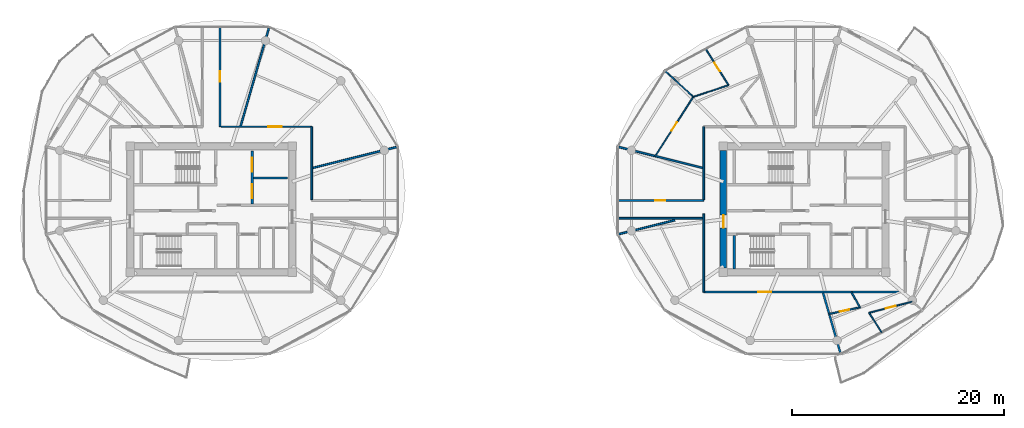
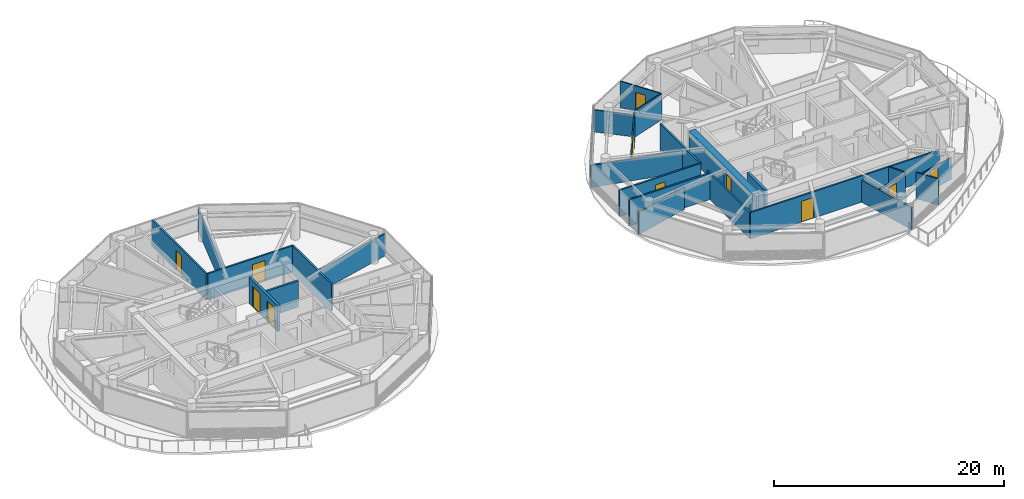
# One storey, part 15 of 23: 25 walls, 11 doors, 11 openings.
"""IFC4 building model written with IfcOpenShell, lengths in metres."""

from ifc_helpers import new_model, si_unit, direction, frame, frame_2d, origin, place, context, subcontext, project, spatial, rectangle, extrude, source, transform, mapped, material, layer, layer_set, type_object, type_shapes, element, fill, save


model = new_model("IFC4")

# Units and contexts
model_context = context("Model", 3, precision=1e-05, world=origin(), true_north=direction((0.0, 1.0)))
body_context = subcontext(model_context, "Body", "Model", "MODEL_VIEW")
ifc_project = project(units=[si_unit("LENGTHUNIT", "METRE"), si_unit("AREAUNIT", "SQUARE_METRE"), si_unit("VOLUMEUNIT", "CUBIC_METRE"), si_unit("PLANEANGLEUNIT", "RADIAN"), si_unit("MASSUNIT", "GRAM", prefix="KILO")], contexts=[model_context])

# Site, building, storey
site_placement = place(None, origin())
site = spatial("IfcSite", under=ifc_project, at=site_placement, CompositionType="ELEMENT")
building_placement = place(site_placement, origin())
building = spatial("IfcBuilding", under=site, at=building_placement, Name="Norrkilde Senior Care Towers", CompositionType="ELEMENT")
storey_placement = place(building_placement, frame((0.0, 0.0, 164.800048828125)))
storey = spatial("IfcBuildingStorey", under=building, at=storey_placement, Name="L51", CompositionType="ELEMENT", Elevation=164.800048828125)

# Wall, opening, door
ifc_material_1 = material(Name="Concrete C50/60", Category="concrete")
ifc_layer_1 = layer(ifc_material_1, 0.6201171875)
ifc_layer_set_1 = layer_set([ifc_layer_1], Name="Concrete C50/60")
wall_type_1 = type_object("IfcWallType", Name="Core Shear Wall Z3 620", PredefinedType="SHEAR", material=ifc_layer_set_1)
shared_shape_1 = source(origin(), body_context, "Body", "SweptSolid", [
    extrude(rectangle(XDim=11.10009765625, YDim=0.6201171875, at=frame_2d((5.550048828125, 0.0))), origin(), (0.0, 0.0, 1.0), 2.81005859375),
])
type_shapes(wall_type_1, [shared_shape_1])
wall_1_placement = place(storey_placement, frame((20.35009765625, -5.550048828125, 0.0), z_axis=(0.0, 0.0, 1.0), x_axis=(0.0, 1.0, 0.0)))
wall_1 = element("IfcWall", 1, at=wall_1_placement, inside=storey, type_object=wall_type_1, Name="L51 Core E West Shear Wall", PredefinedType="SHEAR", context=body_context, shape_type="MappedRepresentation", body=[
    mapped(shared_shape_1, transform((0.0, 0.0, 0.0), x_axis=(1.0, 0.0, 0.0), y_axis=(0.0, 1.0, 0.0), z_axis=(0.0, 0.0, 1.0), scale=1.0)),
])
opening_1_placement = place(wall_1_placement, frame((3.800048828125, 0.0, 0.0)))
opening_1 = element("IfcOpeningElement", 2, at=opening_1_placement, cuts=wall_1, Name="Opening D-04", PredefinedType="OPENING", context=body_context, shape_type="SweptSolid", body=[
    extrude(rectangle(XDim=1.199951171875, YDim=2.14990234375, at=frame_2d((0.60009765625, 1.074951171875))), frame((0.0, 0.320068359375, 0.0), z_axis=(0.0, -1.0, 0.0), x_axis=(1.0, 0.0, 0.0)), (0.0, 0.0, 1.0), 0.64013671875),
])
ifc_material_2 = material(Name="Galvanised Painted Steel", Category="steel")
door_type_1 = type_object("IfcDoorType", Name="Firefighting Lobby Fire Door 1200x2150", OperationType="NOTDEFINED", PredefinedType="DOOR", material=ifc_material_2)
shared_shape_2 = source(origin(), body_context, "Body", "SweptSolid", [
    extrude(rectangle(XDim=1.199951171875, YDim=2.14990234375, at=frame_2d((0.60009765625, 1.074951171875))), frame((0.0, 0.02490234375, 0.0), z_axis=(0.0, -1.0, 0.0), x_axis=(1.0, 0.0, 0.0)), (0.0, 0.0, 1.0), 0.050048828125),
])
type_shapes(door_type_1, [shared_shape_2])
door_1_placement = place(opening_1_placement, frame((1.199951171875, 0.0, 0.0), z_axis=(0.0, 0.0, 1.0), x_axis=(-1.0, 0.0, 0.0)))
door_1 = element("IfcDoor", 3, at=door_1_placement, inside=storey, type_object=door_type_1, Name="L51 Core E West Portal Door", OperationType="SINGLE_SWING_LEFT", OverallHeight=2.14990234375, OverallWidth=1.199951171875, PredefinedType="DOOR", context=body_context, shape_type="MappedRepresentation", body=[
    mapped(shared_shape_2, transform((0.0, 0.0, 0.0), x_axis=(1.0, 0.0, 0.0), y_axis=(0.0, 1.0, 0.0), z_axis=(0.0, 0.0, 1.0), scale=1.0)),
])
fill(opening_1, door_1)

# Wall
ifc_material_3 = material(Name="Concrete C45/55", Category="concrete")
ifc_layer_2 = layer(ifc_material_3, 0.239990234375)
ifc_layer_set_2 = layer_set([ifc_layer_2], Name="Concrete C45/55")
wall_type_2 = type_object("IfcWallType", Name="Shaft and Stair Enclosure Wall 240", PredefinedType="PARTITIONING", material=ifc_layer_set_2)
shared_shape_3 = source(origin(), body_context, "Body", "SweptSolid", [
    extrude(rectangle(XDim=3.18994140625, YDim=0.239990234375, at=frame_2d((1.594970703125, 0.0))), origin(), (0.0, 0.0, 1.0), 2.81005859375),
])
type_shapes(wall_type_2, [shared_shape_3])
wall_2_placement = place(storey_placement, frame((21.3798828125, -5.639892578125, 0.0), z_axis=(0.0, 0.0, 1.0), x_axis=(0.0, 1.0, 0.0)))
element("IfcWall", 4, at=wall_2_placement, inside=storey, type_object=wall_type_2, Name="WL-INT-L51-E-ST2W", PredefinedType="PARTITIONING", context=body_context, shape_type="MappedRepresentation", body=[
    mapped(shared_shape_3, transform((0.0, 0.0, 0.0), x_axis=(1.0, 0.0, 0.0), y_axis=(0.0, 1.0, 0.0), z_axis=(0.0, 0.0, 1.0), scale=1.0)),
])

# Wall, openings, doors
ifc_layer_3 = layer(ifc_material_3, 0.239990234375)
ifc_layer_set_3 = layer_set([ifc_layer_3], Name="Concrete C45/55")
wall_type_3 = type_object("IfcWallType", Name="Lift and Plant Rated Enclosure Partition 240", PredefinedType="PARTITIONING", material=ifc_layer_set_3)
shared_shape_4 = source(origin(), body_context, "Body", "SweptSolid", [
    extrude(rectangle(XDim=5.0, YDim=0.239990234375, at=frame_2d((2.5, 0.0))), origin(), (0.0, 0.0, 1.0), 2.794921875),
])
type_shapes(wall_type_3, [shared_shape_4])
wall_3_placement = place(storey_placement, frame((-24.139892578125, 0.5, 0.0), z_axis=(0.0, 0.0, 1.0), x_axis=(0.0, 1.0, 0.0)))
wall_3 = element("IfcWall", 5, at=wall_3_placement, inside=storey, type_object=wall_type_3, Name="WL-INT-L51-W-FFLE", PredefinedType="PARTITIONING", context=body_context, shape_type="MappedRepresentation", body=[
    mapped(shared_shape_4, transform((0.0, 0.0, 0.0), x_axis=(1.0, 0.0, 0.0), y_axis=(0.0, 1.0, 0.0), z_axis=(0.0, 0.0, 1.0), scale=1.0)),
])
opening_2_placement = place(wall_3_placement, frame((3.050048828125, 0.0, 0.0)))
opening_2 = element("IfcOpeningElement", 6, at=opening_2_placement, cuts=wall_3, Name="Opening LD-02", PredefinedType="OPENING", context=body_context, shape_type="SweptSolid", body=[
    extrude(rectangle(XDim=1.300048828125, YDim=2.199951171875, at=frame_2d((0.64990234375, 1.10009765625))), frame((0.0, 0.1298828125, 0.0), z_axis=(0.0, -1.0, 0.0), x_axis=(1.0, 0.0, 0.0)), (0.0, 0.0, 1.0), 0.260009765625),
])
opening_3_placement = place(wall_3_placement, frame((0.550048828125, 0.0, 0.0)))
opening_3 = element("IfcOpeningElement", 7, at=opening_3_placement, cuts=wall_3, Name="Opening LD-02", PredefinedType="OPENING", context=body_context, shape_type="SweptSolid", body=[
    extrude(rectangle(XDim=1.300048828125, YDim=2.199951171875, at=frame_2d((0.64990234375, 1.10009765625))), frame((0.0, 0.1298828125, 0.0), z_axis=(0.0, -1.0, 0.0), x_axis=(1.0, 0.0, 0.0)), (0.0, 0.0, 1.0), 0.260009765625),
])
ifc_material_4 = material(Name="Stainless Steel", Category="steel")
door_type_2 = type_object("IfcDoorType", Name="Stretcher and FFL Landing Sliding Door 1300x2200", OperationType="NOTDEFINED", PredefinedType="DOOR", material=ifc_material_4)
shared_shape_5 = source(origin(), body_context, "Body", "SweptSolid", [
    extrude(rectangle(XDim=1.300048828125, YDim=2.199951171875, at=frame_2d((0.64990234375, 1.10009765625))), frame((0.0, 0.02490234375, 0.0), z_axis=(0.0, -1.0, 0.0), x_axis=(1.0, 0.0, 0.0)), (0.0, 0.0, 1.0), 0.050048828125),
])
type_shapes(door_type_2, [shared_shape_5])
door_2_placement = place(opening_2_placement, origin())
door_2 = element("IfcDoor", 8, at=door_2_placement, inside=storey, type_object=door_type_2, Name="L51 Firefighting Lift W1 Landing Door", OperationType="SLIDING_TO_LEFT", OverallHeight=2.199951171875, OverallWidth=1.300048828125, PredefinedType="DOOR", context=body_context, shape_type="MappedRepresentation", body=[
    mapped(shared_shape_5, transform((0.0, 0.0, 0.0), x_axis=(1.0, 0.0, 0.0), y_axis=(0.0, 1.0, 0.0), z_axis=(0.0, 0.0, 1.0), scale=1.0)),
])
fill(opening_2, door_2)
door_3_placement = place(opening_3_placement, origin())
door_3 = element("IfcDoor", 9, at=door_3_placement, inside=storey, type_object=door_type_2, Name="L51 Stretcher Lift W1 Landing Door", OperationType="SLIDING_TO_RIGHT", OverallHeight=2.199951171875, OverallWidth=1.300048828125, PredefinedType="DOOR", context=body_context, shape_type="MappedRepresentation", body=[
    mapped(shared_shape_5, transform((0.0, 0.0, 0.0), x_axis=(1.0, 0.0, 0.0), y_axis=(0.0, 1.0, 0.0), z_axis=(0.0, 0.0, 1.0), scale=1.0)),
])
fill(opening_3, door_3)

# Walls
ifc_layer_4 = layer(ifc_material_3, 0.199951171875)
ifc_layer_set_4 = layer_set([ifc_layer_4], Name="Concrete C45/55")
wall_type_4 = type_object("IfcWallType", Name="Shaft Division and Plant Partition 200", PredefinedType="PARTITIONING", material=ifc_layer_set_4)
shared_shape_6 = source(origin(), body_context, "Body", "SweptSolid", [
    extrude(rectangle(XDim=3.199951171875, YDim=0.199951171875, at=frame_2d((1.60009765625, 0.0))), origin(), (0.0, 0.0, 1.0), 2.794921875),
])
type_shapes(wall_type_4, [shared_shape_6])
wall_4_placement = place(storey_placement, frame((-24.0, 2.949951171875, 0.0), z_axis=(0.0, 0.0, 1.0), x_axis=(1.0, 0.0, 0.0)))
element("IfcWall", 10, at=wall_4_placement, inside=storey, type_object=wall_type_4, Name="WL-INT-L51-W-FFLDIV", PredefinedType="PARTITIONING", context=body_context, shape_type="MappedRepresentation", body=[
    mapped(shared_shape_6, transform((0.0, 0.0, 0.0), x_axis=(1.0, 0.0, 0.0), y_axis=(0.0, 1.0, 0.0), z_axis=(0.0, 0.0, 1.0), scale=1.0)),
])
ifc_material_5 = material(Name="Gypsum Acoustic Board")
ifc_layer_5 = layer(ifc_material_5, 0.1650390625)
ifc_layer_set_5 = layer_set([ifc_layer_5], Name="Gypsum Acoustic Board")
wall_type_5 = type_object("IfcWallType", Name="Corridor Rated Partition 165", PredefinedType="PARTITIONING", material=ifc_layer_set_5)
shared_shape_7 = source(origin(), body_context, "Body", "SweptSolid", [
    extrude(rectangle(XDim=9.73046875, YDim=0.1650390625, at=frame_2d((4.865234375, 0.0))), origin(), (0.0, 0.0, 1.0), 2.344970703125),
])
wall_5_placement = place(storey_placement, frame((-25.216552734375, 7.8798828125, 0.0), z_axis=(0.0, 0.0, 1.0), x_axis=(0.27679492614, 0.960929013436, 0.0)))
element("IfcWall", 11, at=wall_5_placement, inside=storey, type_object=wall_type_5, Name="WL-INT-L51-W-DEM-02-0", PredefinedType="PARTITIONING", context=body_context, shape_type="MappedRepresentation", body=[
    mapped(shared_shape_7, transform((0.0, 0.0, 0.0), x_axis=(1.0, 0.0, 0.0), y_axis=(0.0, 1.0, 0.0), z_axis=(0.0, 0.0, 1.0), scale=1.0)),
])
shared_shape_8 = source(origin(), body_context, "Body", "SweptSolid", [
    extrude(rectangle(XDim=5.564453125, YDim=0.1650390625, at=frame_2d((2.7822265625, 0.0))), origin(), (0.0, 0.0, 1.0), 2.344970703125),
])
wall_6_placement = place(storey_placement, frame((15.76025390625, -1.02001953125, 0.0), z_axis=(0.0, 0.0, 1.0), x_axis=(-0.970315176167, -0.241843872984, 0.0)))
element("IfcWall", 12, at=wall_6_placement, inside=storey, type_object=wall_type_5, Name="WL-INT-L51-E-DEM-06-0", PredefinedType="PARTITIONING", context=body_context, shape_type="MappedRepresentation", body=[
    mapped(shared_shape_8, transform((0.0, 0.0, 0.0), x_axis=(1.0, 0.0, 0.0), y_axis=(0.0, 1.0, 0.0), z_axis=(0.0, 0.0, 1.0), scale=1.0)),
])
shared_shape_9 = source(origin(), body_context, "Body", "SweptSolid", [
    extrude(rectangle(XDim=8.305419921875, YDim=0.1650390625, at=frame_2d((4.15283203125, 0.0))), origin(), (0.0, 0.0, 1.0), 2.344970703125),
])
for number, where, z_axis, x_axis, name in (
    (13, (-18.419921875, 3.90771484375, 0.0), (0.0, 0.0, 1.0), (0.970309994378, 0.241864662175, 0.0), "WL-INT-L51-W-DEM-00-0"),
    (14, (18.419921875, 3.90771484375, 0.0), (0.0, 0.0, 1.0), (-0.970309994378, 0.241864662175, 0.0), "WL-INT-L51-E-DEM-05-0"),
):
    element("IfcWall", number, at=place(storey_placement, frame(where, z_axis=z_axis, x_axis=x_axis)), inside=storey, type_object=wall_type_5, Name=name, PredefinedType="PARTITIONING", context=body_context, shape_type="MappedRepresentation", body=[
        mapped(shared_shape_9, transform((0.0, 0.0, 0.0), x_axis=(1.0, 0.0, 0.0), y_axis=(0.0, 1.0, 0.0), z_axis=(0.0, 0.0, 1.0), scale=1.0)),
    ])
ifc_layer_6 = layer(ifc_material_5, 0.114990234375)
ifc_layer_set_6 = layer_set([ifc_layer_6], Name="Gypsum Acoustic Board")
wall_type_6 = type_object("IfcWallType", Name="Internal Room Partition 115", PredefinedType="PARTITIONING", material=ifc_layer_set_6)
shared_shape_10 = source(origin(), body_context, "Body", "SweptSolid", [
    extrude(rectangle(XDim=3.647705078125, YDim=0.114990234375, at=frame_2d((1.82373046875, 0.0))), origin(), (0.0, 0.0, 1.0), 2.344970703125),
])
wall_7_placement = place(storey_placement, frame((17.5087890625, 10.632080078125, 0.0), z_axis=(0.0, 0.0, 1.0), x_axis=(-0.739109697605, 0.67358507622, 0.0)))
element("IfcWall", 15, at=wall_7_placement, inside=storey, type_object=wall_type_6, Name="WL-INT-L51-E-UBR-03-1", PredefinedType="PARTITIONING", context=body_context, shape_type="MappedRepresentation", body=[
    mapped(shared_shape_10, transform((0.0, 0.0, 0.0), x_axis=(1.0, 0.0, 0.0), y_axis=(0.0, 1.0, 0.0), z_axis=(0.0, 0.0, 1.0), scale=1.0)),
])
ifc_layer_7 = layer(ifc_material_5, 0.18994140625)
ifc_layer_set_7 = layer_set([ifc_layer_7], Name="Gypsum Acoustic Board")
wall_type_7 = type_object("IfcWallType", Name="Unit Demising Acoustic Wall 190", PredefinedType="PARTITIONING", material=ifc_layer_set_7)
shared_shape_11 = source(origin(), body_context, "Body", "SweptSolid", [
    extrude(rectangle(XDim=6.035400390625, YDim=0.18994140625, at=frame_2d((3.017578125, 0.0))), origin(), (0.0, 0.0, 1.0), 2.344970703125),
])
type_shapes(wall_type_7, [shared_shape_11])
wall_8_placement = place(storey_placement, frame((29.756103515625, -7.8798828125, 0.0), z_axis=(0.0, 0.0, 1.0), x_axis=(0.276809454862, -0.960924828329, 0.0)))
element("IfcWall", 16, at=wall_8_placement, inside=storey, type_object=wall_type_7, Name="WL-INT-L51-E-DEM-09-0", PredefinedType="PARTITIONING", context=body_context, shape_type="MappedRepresentation", body=[
    mapped(shared_shape_11, transform((0.0, 0.0, 0.0), x_axis=(1.0, 0.0, 0.0), y_axis=(0.0, 1.0, 0.0), z_axis=(0.0, 0.0, 1.0), scale=1.0)),
])

# Wall, opening, door
ifc_layer_8 = layer(ifc_material_5, 0.139892578125)
ifc_layer_set_8 = layer_set([ifc_layer_8], Name="Gypsum Acoustic Board")
wall_type_8 = type_object("IfcWallType", Name="En-suite Wet Room Wall 140", PredefinedType="PARTITIONING", material=ifc_layer_set_8)
shared_shape_12 = source(origin(), body_context, "Body", "SweptSolid", [
    extrude(rectangle(XDim=2.995361328125, YDim=0.139892578125, at=frame_2d((1.49755859375, 0.0))), origin(), (0.0, 0.0, 1.0), 2.43505859375),
])
wall_9_placement = place(storey_placement, frame((33.2412109375, -9.251220703125, 0.0), z_axis=(0.0, 0.0, 1.0), x_axis=(-0.978075914325, -0.208248663425, 0.0)))
wall_9 = element("IfcWall", 17, at=wall_9_placement, inside=storey, type_object=wall_type_8, Name="WL-INT-L51-E-UBTF-09", PredefinedType="PARTITIONING", context=body_context, shape_type="MappedRepresentation", body=[
    mapped(shared_shape_12, transform((0.0, 0.0, 0.0), x_axis=(1.0, 0.0, 0.0), y_axis=(0.0, 1.0, 0.0), z_axis=(0.0, 0.0, 1.0), scale=1.0)),
])
opening_4_placement = place(wall_9_placement, frame((1.03759765625, 0.0, 0.0)))
opening_4 = element("IfcOpeningElement", 18, at=opening_4_placement, cuts=wall_9, Name="Opening D-08", PredefinedType="OPENING", context=body_context, shape_type="SweptSolid", body=[
    extrude(rectangle(XDim=0.919921875, YDim=2.10009765625, at=frame_2d((0.4599609375, 1.050048828125))), frame((0.0, 0.079833984375, 0.0), z_axis=(0.0, -1.0, 0.0), x_axis=(1.0, 0.0, 0.0)), (0.0, 0.0, 1.0), 0.159912109375),
])
ifc_material_6 = material(Name="Nordic Ash Timber", Category="wood")
door_type_3 = type_object("IfcDoorType", Name="Accessible Wet Room Door 920x2100", OperationType="NOTDEFINED", PredefinedType="DOOR", material=ifc_material_6)
shared_shape_13 = source(origin(), body_context, "Body", "SweptSolid", [
    extrude(rectangle(XDim=0.919921875, YDim=2.10009765625, at=frame_2d((0.4599609375, 1.050048828125))), frame((0.0, 0.02490234375, 0.0), z_axis=(0.0, -1.0, 0.0), x_axis=(1.0, 0.0, 0.0)), (0.0, 0.0, 1.0), 0.050048828125),
])
type_shapes(door_type_3, [shared_shape_13])
door_4_placement = place(opening_4_placement, origin())
door_4 = element("IfcDoor", 19, at=door_4_placement, inside=storey, type_object=door_type_3, Name="Apartment 51D Bathroom Door", OperationType="SINGLE_SWING_LEFT", OverallHeight=2.10009765625, OverallWidth=0.919921875, PredefinedType="DOOR", context=body_context, shape_type="MappedRepresentation", body=[
    mapped(shared_shape_13, transform((0.0, 0.0, 0.0), x_axis=(1.0, 0.0, 0.0), y_axis=(0.0, 1.0, 0.0), z_axis=(0.0, 0.0, 1.0), scale=1.0)),
])
fill(opening_4, door_4)

shared_shape_14 = source(origin(), body_context, "Body", "SweptSolid", [
    extrude(rectangle(XDim=4.2177734375, YDim=0.114990234375, at=frame_2d((2.10888671875, 0.0))), origin(), (0.0, 0.0, 1.0), 2.344970703125),
])
wall_10_placement = place(storey_placement, frame((34.095458984375, -9.763671875, 0.0), z_axis=(0.0, 0.0, 1.0), x_axis=(0.968124892577, 0.250467946797, 0.0)))
wall_10 = element("IfcWall", 20, at=wall_10_placement, inside=storey, type_object=wall_type_6, Name="WL-INT-L51-E-UKTF-09", PredefinedType="PARTITIONING", context=body_context, shape_type="MappedRepresentation", body=[
    mapped(shared_shape_14, transform((0.0, 0.0, 0.0), x_axis=(1.0, 0.0, 0.0), y_axis=(0.0, 1.0, 0.0), z_axis=(0.0, 0.0, 1.0), scale=1.0)),
])
opening_5_placement = place(wall_10_placement, frame((1.6337890625, 0.0, 0.0)))
opening_5 = element("IfcOpeningElement", 21, at=opening_5_placement, cuts=wall_10, Name="Opening D-07", PredefinedType="OPENING", context=body_context, shape_type="SweptSolid", body=[
    extrude(rectangle(XDim=0.949951171875, YDim=2.10009765625, at=frame_2d((0.47509765625, 1.050048828125))), frame((0.0, 0.0673828125, 0.0), z_axis=(0.0, -1.0, 0.0), x_axis=(1.0, 0.0, 0.0)), (0.0, 0.0, 1.0), 0.135009765625),
])
door_type_4 = type_object("IfcDoorType", Name="Internal Suite Bedroom Door 950x2100", OperationType="NOTDEFINED", PredefinedType="DOOR", material=ifc_material_6)
shared_shape_15 = source(origin(), body_context, "Body", "SweptSolid", [
    extrude(rectangle(XDim=0.949951171875, YDim=2.10009765625, at=frame_2d((0.47509765625, 1.050048828125))), frame((0.0, 0.02490234375, 0.0), z_axis=(0.0, -1.0, 0.0), x_axis=(1.0, 0.0, 0.0)), (0.0, 0.0, 1.0), 0.050048828125),
])
type_shapes(door_type_4, [shared_shape_15])
door_5_placement = place(opening_5_placement, frame((0.949951171875, 0.0, 0.0), z_axis=(0.0, 0.0, 1.0), x_axis=(-1.0, 0.0, 0.0)))
door_5 = element("IfcDoor", 22, at=door_5_placement, inside=storey, type_object=door_type_4, Name="Apartment 51D Kitchen Door", OperationType="SINGLE_SWING_RIGHT", OverallHeight=2.10009765625, OverallWidth=0.949951171875, PredefinedType="DOOR", context=body_context, shape_type="MappedRepresentation", body=[
    mapped(shared_shape_15, transform((0.0, 0.0, 0.0), x_axis=(1.0, 0.0, 0.0), y_axis=(0.0, 1.0, 0.0), z_axis=(0.0, 0.0, 1.0), scale=1.0)),
])
fill(opening_5, door_5)

shared_shape_16 = source(origin(), body_context, "Body", "SweptSolid", [
    extrude(rectangle(XDim=8.580078125, YDim=0.1650390625, at=frame_2d((4.2900390625, 0.0))), origin(), (0.0, 0.0, 1.0), 2.794921875),
])
wall_11_placement = place(storey_placement, frame((-27.080078125, 7.800048828125, 0.0), z_axis=(0.0, 0.0, 1.0), x_axis=(1.0, 0.0, 0.0)))
wall_11 = element("IfcWall", 23, at=wall_11_placement, inside=storey, type_object=wall_type_5, Name="WL-INT-L51-W-CRW-N-1", PredefinedType="PARTITIONING", context=body_context, shape_type="MappedRepresentation", body=[
    mapped(shared_shape_16, transform((0.0, 0.0, 0.0), x_axis=(1.0, 0.0, 0.0), y_axis=(0.0, 1.0, 0.0), z_axis=(0.0, 0.0, 1.0), scale=1.0)),
])
opening_6_placement = place(wall_11_placement, frame((4.4873046875, 0.0, 0.0)))
opening_6 = element("IfcOpeningElement", 24, at=opening_6_placement, cuts=wall_11, Name="Opening D-05", PredefinedType="OPENING", context=body_context, shape_type="SweptSolid", body=[
    extrude(rectangle(XDim=1.25, YDim=2.199951171875, at=frame_2d((0.625, 1.10009765625))), frame((0.0, 0.092529296875, 0.0), z_axis=(0.0, -1.0, 0.0), x_axis=(1.0, 0.0, 0.0)), (0.0, 0.0, 1.0), 0.18505859375),
])
door_type_5 = type_object("IfcDoorType", Name="Care Bedroom Bariatric Door 1250x2200", OperationType="NOTDEFINED", PredefinedType="DOOR", material=ifc_material_6)
shared_shape_17 = source(origin(), body_context, "Body", "SweptSolid", [
    extrude(rectangle(XDim=1.25, YDim=2.199951171875, at=frame_2d((0.625, 1.10009765625))), frame((0.0, 0.02490234375, 0.0), z_axis=(0.0, -1.0, 0.0), x_axis=(1.0, 0.0, 0.0)), (0.0, 0.0, 1.0), 0.050048828125),
])
type_shapes(door_type_5, [shared_shape_17])
door_6_placement = place(opening_6_placement, frame((1.25, 0.0, 0.0), z_axis=(0.0, 0.0, 1.0), x_axis=(-1.0, 0.0, 0.0)))
door_6 = element("IfcDoor", 25, at=door_6_placement, inside=storey, type_object=door_type_5, Name="L51 Resident Therapeutic Day Lounge Door", OperationType="SINGLE_SWING_LEFT", OverallHeight=2.199951171875, OverallWidth=1.25, PredefinedType="DOOR", context=body_context, shape_type="MappedRepresentation", body=[
    mapped(shared_shape_17, transform((0.0, 0.0, 0.0), x_axis=(1.0, 0.0, 0.0), y_axis=(0.0, 1.0, 0.0), z_axis=(0.0, 0.0, 1.0), scale=1.0)),
])
fill(opening_6, door_6)

shared_shape_18 = source(origin(), body_context, "Body", "SweptSolid", [
    extrude(rectangle(XDim=19.0, YDim=0.1650390625, at=frame_2d((9.5, 0.0))), origin(), (0.0, 0.0, 1.0), 2.794921875),
])
wall_12_placement = place(storey_placement, frame((37.5, -7.800048828125, 0.0), z_axis=(0.0, 0.0, 1.0), x_axis=(-1.0, 0.0, 0.0)))
wall_12 = element("IfcWall", 26, at=wall_12_placement, inside=storey, type_object=wall_type_5, Name="WL-INT-L51-E-CRW-S-0", PredefinedType="PARTITIONING", context=body_context, shape_type="MappedRepresentation", body=[
    mapped(shared_shape_18, transform((0.0, 0.0, 0.0), x_axis=(1.0, 0.0, 0.0), y_axis=(0.0, 1.0, 0.0), z_axis=(0.0, 0.0, 1.0), scale=1.0)),
])
opening_7_placement = place(wall_12_placement, frame((12.623291015625, 0.0, 0.0)))
opening_7 = element("IfcOpeningElement", 27, at=opening_7_placement, cuts=wall_12, Name="Opening D-05", PredefinedType="OPENING", context=body_context, shape_type="SweptSolid", body=[
    extrude(rectangle(XDim=1.25, YDim=2.199951171875, at=frame_2d((0.625, 1.10009765625))), frame((0.0, 0.092529296875, 0.0), z_axis=(0.0, -1.0, 0.0), x_axis=(1.0, 0.0, 0.0)), (0.0, 0.0, 1.0), 0.18505859375),
])
door_7_placement = place(opening_7_placement, frame((1.25, 0.0, 0.0), z_axis=(0.0, 0.0, 1.0), x_axis=(-1.0, 0.0, 0.0)))
door_7 = element("IfcDoor", 28, at=door_7_placement, inside=storey, type_object=door_type_5, Name="L51 Senior Wellness Library Lounge Door", OperationType="SINGLE_SWING_LEFT", OverallHeight=2.199951171875, OverallWidth=1.25, PredefinedType="DOOR", context=body_context, shape_type="MappedRepresentation", body=[
    mapped(shared_shape_17, transform((0.0, 0.0, 0.0), x_axis=(1.0, 0.0, 0.0), y_axis=(0.0, 1.0, 0.0), z_axis=(0.0, 0.0, 1.0), scale=1.0)),
])
fill(opening_7, door_7)

# Walls
shared_shape_19 = source(origin(), body_context, "Body", "SweptSolid", [
    extrude(rectangle(XDim=6.880126953125, YDim=0.1650390625, at=frame_2d((3.43994140625, 0.0))), origin(), (0.0, 0.0, 1.0), 2.794921875),
])
for number, where, z_axis, x_axis, name in (
    (29, (-18.5, 7.800048828125, 0.0), (0.0, 0.0, 1.0), (0.0, -1.0, 0.0), "WL-INT-L51-W-CRW-E-0"),
    (30, (18.5, 0.919921875, 0.0), (0.0, 0.0, 1.0), (0.0, 1.0, 0.0), "WL-INT-L51-E-CRW-W-1"),
):
    element("IfcWall", number, at=place(storey_placement, frame(where, z_axis=z_axis, x_axis=x_axis)), inside=storey, type_object=wall_type_5, Name=name, PredefinedType="PARTITIONING", context=body_context, shape_type="MappedRepresentation", body=[
        mapped(shared_shape_19, transform((0.0, 0.0, 0.0), x_axis=(1.0, 0.0, 0.0), y_axis=(0.0, 1.0, 0.0), z_axis=(0.0, 0.0, 1.0), scale=1.0)),
    ])
shared_shape_20 = source(origin(), body_context, "Body", "SweptSolid", [
    extrude(rectangle(XDim=7.364501953125, YDim=0.1650390625, at=frame_2d((3.68212890625, 0.0))), origin(), (0.0, 0.0, 1.0), 2.794921875),
])
wall_13_placement = place(storey_placement, frame((18.5, -7.800048828125, 0.0), z_axis=(0.0, 0.0, 1.0), x_axis=(0.0, 1.0, 0.0)))
element("IfcWall", 31, at=wall_13_placement, inside=storey, type_object=wall_type_5, Name="WL-INT-L51-E-CRW-W-0", PredefinedType="PARTITIONING", context=body_context, shape_type="MappedRepresentation", body=[
    mapped(shared_shape_20, transform((0.0, 0.0, 0.0), x_axis=(1.0, 0.0, 0.0), y_axis=(0.0, 1.0, 0.0), z_axis=(0.0, 0.0, 1.0), scale=1.0)),
])

# Wall, opening, door
shared_shape_21 = source(origin(), body_context, "Body", "SweptSolid", [
    extrude(rectangle(XDim=9.480224609375, YDim=0.1650390625, at=frame_2d((4.740234375, 0.0))), origin(), (0.0, 0.0, 1.0), 2.794921875),
])
wall_14_placement = place(storey_placement, frame((-27.159912109375, 17.2802734375, 0.0), z_axis=(0.0, 0.0, 1.0), x_axis=(0.0, -1.0, 0.0)))
wall_14 = element("IfcWall", 32, at=wall_14_placement, inside=storey, type_object=wall_type_5, Name="WL-INT-L51-W-SPK-N2-0", PredefinedType="PARTITIONING", context=body_context, shape_type="MappedRepresentation", body=[
    mapped(shared_shape_21, transform((0.0, 0.0, 0.0), x_axis=(1.0, 0.0, 0.0), y_axis=(0.0, 1.0, 0.0), z_axis=(0.0, 0.0, 1.0), scale=1.0)),
])
opening_8_placement = place(wall_14_placement, frame((4.26513671875, 0.0, 0.0)))
opening_8 = element("IfcOpeningElement", 33, at=opening_8_placement, cuts=wall_14, Name="Opening D-07", PredefinedType="OPENING", context=body_context, shape_type="SweptSolid", body=[
    extrude(rectangle(XDim=0.949951171875, YDim=2.10009765625, at=frame_2d((0.47509765625, 1.050048828125))), frame((0.0, 0.092529296875, 0.0), z_axis=(0.0, -1.0, 0.0), x_axis=(1.0, 0.0, 0.0)), (0.0, 0.0, 1.0), 0.18505859375),
])
door_8_placement = place(opening_8_placement, frame((0.949951171875, 0.0, 0.0), z_axis=(0.0, 0.0, 1.0), x_axis=(-1.0, 0.0, 0.0)))
door_8 = element("IfcDoor", 34, at=door_8_placement, inside=storey, type_object=door_type_4, Name="L51 Sun Reading Lounge 4 Door", OperationType="SINGLE_SWING_LEFT", OverallHeight=2.10009765625, OverallWidth=0.949951171875, PredefinedType="DOOR", context=body_context, shape_type="MappedRepresentation", body=[
    mapped(shared_shape_15, transform((0.0, 0.0, 0.0), x_axis=(1.0, 0.0, 0.0), y_axis=(0.0, 1.0, 0.0), z_axis=(0.0, 0.0, 1.0), scale=1.0)),
])
fill(opening_8, door_8)

shared_shape_22 = source(origin(), body_context, "Body", "SweptSolid", [
    extrude(rectangle(XDim=8.18896484375, YDim=0.1650390625, at=frame_2d((4.094482421875, 0.0))), origin(), (0.0, 0.0, 1.0), 2.794921875),
])
type_shapes(wall_type_5, [shared_shape_7, shared_shape_8, shared_shape_9, shared_shape_16, shared_shape_18, shared_shape_19, shared_shape_20, shared_shape_21, shared_shape_22])
wall_15_placement = place(storey_placement, frame((10.31103515625, 0.840087890625, 0.0), z_axis=(0.0, 0.0, 1.0), x_axis=(1.0, 0.0, 0.0)))
wall_15 = element("IfcWall", 35, at=wall_15_placement, inside=storey, type_object=wall_type_5, Name="WL-INT-L51-E-SPK-W1-0", PredefinedType="PARTITIONING", context=body_context, shape_type="MappedRepresentation", body=[
    mapped(shared_shape_22, transform((0.0, 0.0, 0.0), x_axis=(1.0, 0.0, 0.0), y_axis=(0.0, 1.0, 0.0), z_axis=(0.0, 0.0, 1.0), scale=1.0)),
])
opening_9_placement = place(wall_15_placement, frame((3.619384765625, 0.0, 0.0)))
opening_9 = element("IfcOpeningElement", 36, at=opening_9_placement, cuts=wall_15, Name="Opening D-07", PredefinedType="OPENING", context=body_context, shape_type="SweptSolid", body=[
    extrude(rectangle(XDim=0.949951171875, YDim=2.10009765625, at=frame_2d((0.47509765625, 1.050048828125))), frame((0.0, 0.092529296875, 0.0), z_axis=(0.0, -1.0, 0.0), x_axis=(1.0, 0.0, 0.0)), (0.0, 0.0, 1.0), 0.18505859375),
])
door_9_placement = place(opening_9_placement, frame((0.949951171875, 0.0, 0.0), z_axis=(0.0, 0.0, 1.0), x_axis=(-1.0, 0.0, 0.0)))
door_9 = element("IfcDoor", 37, at=door_9_placement, inside=storey, type_object=door_type_4, Name="L51 Sun Reading Lounge 2 Door", OperationType="SINGLE_SWING_LEFT", OverallHeight=2.10009765625, OverallWidth=0.949951171875, PredefinedType="DOOR", context=body_context, shape_type="MappedRepresentation", body=[
    mapped(shared_shape_15, transform((0.0, 0.0, 0.0), x_axis=(1.0, 0.0, 0.0), y_axis=(0.0, 1.0, 0.0), z_axis=(0.0, 0.0, 1.0), scale=1.0)),
])
fill(opening_9, door_9)

# Wall
wall_16_placement = place(storey_placement, frame((18.5, -0.840087890625, 0.0), z_axis=(0.0, 0.0, 1.0), x_axis=(-1.0, 0.0, 0.0)))
element("IfcWall", 38, at=wall_16_placement, inside=storey, type_object=wall_type_5, Name="WL-INT-L51-E-SPK-W2-0", PredefinedType="PARTITIONING", context=body_context, shape_type="MappedRepresentation", body=[
    mapped(shared_shape_22, transform((0.0, 0.0, 0.0), x_axis=(1.0, 0.0, 0.0), y_axis=(0.0, 1.0, 0.0), z_axis=(0.0, 0.0, 1.0), scale=1.0)),
])

# Wall, opening, door
shared_shape_23 = source(origin(), body_context, "Body", "SweptSolid", [
    extrude(rectangle(XDim=6.654052734375, YDim=0.114990234375, at=frame_2d((3.3271484375, 0.0))), origin(), (0.0, 0.0, 1.0), 2.794921875),
])
wall_17_placement = place(storey_placement, frame((17.5087890625, 10.632080078125, 0.0), z_axis=(0.0, 0.0, 1.0), x_axis=(-0.53923796816, -0.842153438332, 0.0)))
wall_17 = element("IfcWall", 39, at=wall_17_placement, inside=storey, type_object=wall_type_6, Name="WL-INT-L51-E-UBC-03-1", PredefinedType="PARTITIONING", context=body_context, shape_type="MappedRepresentation", body=[
    mapped(shared_shape_23, transform((0.0, 0.0, 0.0), x_axis=(1.0, 0.0, 0.0), y_axis=(0.0, 1.0, 0.0), z_axis=(0.0, 0.0, 1.0), scale=1.0)),
])
opening_10_placement = place(wall_17_placement, frame((2.85205078125, 0.0, 0.0)))
opening_10 = element("IfcOpeningElement", 40, at=opening_10_placement, cuts=wall_17, Name="Opening D-07", PredefinedType="OPENING", context=body_context, shape_type="SweptSolid", body=[
    extrude(rectangle(XDim=0.949951171875, YDim=2.10009765625, at=frame_2d((0.47509765625, 1.050048828125))), frame((0.0, 0.0673828125, 0.0), z_axis=(0.0, -1.0, 0.0), x_axis=(1.0, 0.0, 0.0)), (0.0, 0.0, 1.0), 0.135009765625),
])
door_10_placement = place(opening_10_placement, origin())
door_10 = element("IfcDoor", 41, at=door_10_placement, inside=storey, type_object=door_type_4, Name="Apartment 51B Bedroom 1 Door", OperationType="SINGLE_SWING_LEFT", OverallHeight=2.10009765625, OverallWidth=0.949951171875, PredefinedType="DOOR", context=body_context, shape_type="MappedRepresentation", body=[
    mapped(shared_shape_15, transform((0.0, 0.0, 0.0), x_axis=(1.0, 0.0, 0.0), y_axis=(0.0, 1.0, 0.0), z_axis=(0.0, 0.0, 1.0), scale=1.0)),
])
fill(opening_10, door_10)

shared_shape_24 = source(origin(), body_context, "Body", "SweptSolid", [
    extrude(rectangle(XDim=4.065673828125, YDim=0.114990234375, at=frame_2d((2.03271484375, 0.0))), origin(), (0.0, 0.0, 1.0), 2.794921875),
])
wall_18_placement = place(storey_placement, frame((20.837646484375, 11.721435546875, 0.0), z_axis=(0.0, 0.0, 1.0), x_axis=(-0.533669868169, 0.8456928945, 0.0)))
wall_18 = element("IfcWall", 42, at=wall_18_placement, inside=storey, type_object=wall_type_6, Name="WL-INT-L51-E-UKTS-03", PredefinedType="PARTITIONING", context=body_context, shape_type="MappedRepresentation", body=[
    mapped(shared_shape_24, transform((0.0, 0.0, 0.0), x_axis=(1.0, 0.0, 0.0), y_axis=(0.0, 1.0, 0.0), z_axis=(0.0, 0.0, 1.0), scale=1.0)),
])
opening_11_placement = place(wall_18_placement, frame((1.557861328125, 0.0, 0.0)))
opening_11 = element("IfcOpeningElement", 43, at=opening_11_placement, cuts=wall_18, Name="Opening D-07", PredefinedType="OPENING", context=body_context, shape_type="SweptSolid", body=[
    extrude(rectangle(XDim=0.949951171875, YDim=2.10009765625, at=frame_2d((0.47509765625, 1.050048828125))), frame((0.0, 0.0673828125, 0.0), z_axis=(0.0, -1.0, 0.0), x_axis=(1.0, 0.0, 0.0)), (0.0, 0.0, 1.0), 0.135009765625),
])
door_11_placement = place(opening_11_placement, frame((0.949951171875, 0.0, 0.0), z_axis=(0.0, 0.0, 1.0), x_axis=(-1.0, 0.0, 0.0)))
door_11 = element("IfcDoor", 44, at=door_11_placement, inside=storey, type_object=door_type_4, Name="Apartment 51B Kitchen Door", OperationType="SINGLE_SWING_RIGHT", OverallHeight=2.10009765625, OverallWidth=0.949951171875, PredefinedType="DOOR", context=body_context, shape_type="MappedRepresentation", body=[
    mapped(shared_shape_15, transform((0.0, 0.0, 0.0), x_axis=(1.0, 0.0, 0.0), y_axis=(0.0, 1.0, 0.0), z_axis=(0.0, 0.0, 1.0), scale=1.0)),
])
fill(opening_11, door_11)

# Walls
shared_shape_25 = source(origin(), body_context, "Body", "SweptSolid", [
    extrude(rectangle(XDim=3.496337890625, YDim=0.114990234375, at=frame_2d((1.748046875, 0.0))), origin(), (0.0, 0.0, 1.0), 2.794921875),
])
wall_19_placement = place(storey_placement, frame((20.837646484375, 11.721435546875, 0.0), z_axis=(0.0, 0.0, 1.0), x_axis=(-0.949420852529, -0.314006440672, 0.0)))
element("IfcWall", 45, at=wall_19_placement, inside=storey, type_object=wall_type_6, Name="WL-INT-L51-E-UKTF-03", PredefinedType="PARTITIONING", context=body_context, shape_type="MappedRepresentation", body=[
    mapped(shared_shape_25, transform((0.0, 0.0, 0.0), x_axis=(1.0, 0.0, 0.0), y_axis=(0.0, 1.0, 0.0), z_axis=(0.0, 0.0, 1.0), scale=1.0)),
])
shared_shape_26 = source(origin(), body_context, "Body", "SweptSolid", [
    extrude(rectangle(XDim=1.634521484375, YDim=0.139892578125, at=frame_2d((0.8173828125, 0.0))), origin(), (0.0, 0.0, 1.0), 2.794921875),
])
type_shapes(wall_type_8, [shared_shape_12, shared_shape_26])
wall_20_placement = place(storey_placement, frame((32.43359375, -7.830078125, 0.0), z_axis=(0.0, 0.0, 1.0), x_axis=(0.494078690764, -0.869417188312, 0.0)))
element("IfcWall", 46, at=wall_20_placement, inside=storey, type_object=wall_type_8, Name="WL-INT-L51-E-UBTS-09", PredefinedType="PARTITIONING", context=body_context, shape_type="MappedRepresentation", body=[
    mapped(shared_shape_26, transform((0.0, 0.0, 0.0), x_axis=(1.0, 0.0, 0.0), y_axis=(0.0, 1.0, 0.0), z_axis=(0.0, 0.0, 1.0), scale=1.0)),
])
shared_shape_27 = source(origin(), body_context, "Body", "SweptSolid", [
    extrude(rectangle(XDim=2.19384765625, YDim=0.114990234375, at=frame_2d((1.096923828125, 0.0))), origin(), (0.0, 0.0, 1.0), 2.794921875),
])
type_shapes(wall_type_6, [shared_shape_10, shared_shape_14, shared_shape_23, shared_shape_24, shared_shape_25, shared_shape_27])
wall_21_placement = place(storey_placement, frame((34.095458984375, -9.763671875, 0.0), z_axis=(0.0, 0.0, 1.0), x_axis=(0.540858831194, -0.841113383985, 0.0)))
element("IfcWall", 47, at=wall_21_placement, inside=storey, type_object=wall_type_6, Name="WL-INT-L51-E-UKTS-09", PredefinedType="PARTITIONING", context=body_context, shape_type="MappedRepresentation", body=[
    mapped(shared_shape_27, transform((0.0, 0.0, 0.0), x_axis=(1.0, 0.0, 0.0), y_axis=(0.0, 1.0, 0.0), z_axis=(0.0, 0.0, 1.0), scale=1.0)),
])

save(model, "model.ifc")
